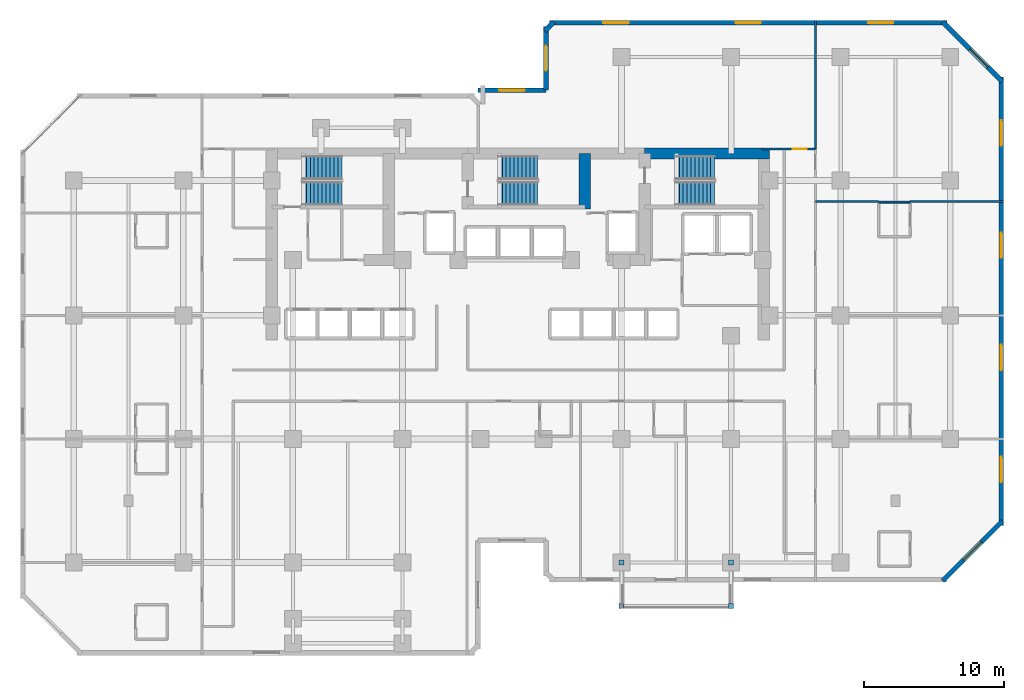
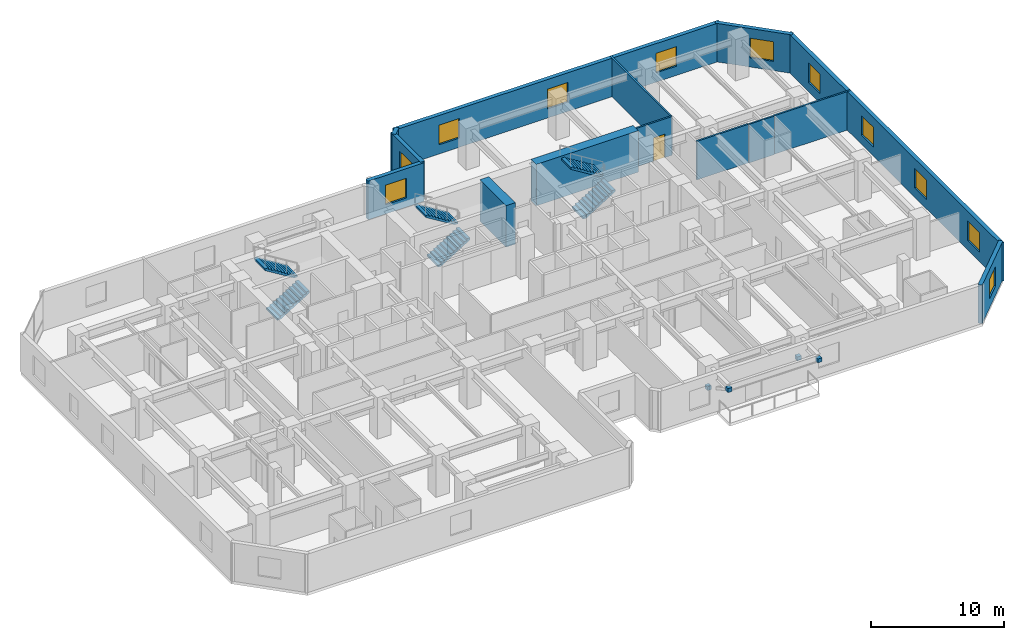
# One storey, part 9 of 11: 14 walls, 11 windows, 6 stair flights, 4 discrete accessories, 1 door, 12 openings, 3 elements without a shape of their own.
"""IFC4 building model written with IfcOpenShell, lengths in metres."""

from ifc_helpers import new_model, si_unit, direction, frame, frame_2d, origin, origin_2d, place, context, subcontext, project, spatial, polyline, rectangle, outline, extrude, material, layer, layer_set, type_object, element, fill, aggregate, save


model = new_model("IFC4")

# Units and contexts
model_context = context("Model", 3, precision=1e-05, world=origin(), true_north=direction((0.0, 1.0)))
body_context = subcontext(model_context, "Body", "Model", "MODEL_VIEW")
ifc_project = project(units=[si_unit("LENGTHUNIT", "METRE"), si_unit("AREAUNIT", "SQUARE_METRE"), si_unit("VOLUMEUNIT", "CUBIC_METRE"), si_unit("PLANEANGLEUNIT", "RADIAN"), si_unit("MASSUNIT", "GRAM", prefix="KILO")], contexts=[model_context])

# Site, building, storey
site_placement = place(None, origin())
site = spatial("IfcSite", under=ifc_project, at=site_placement, CompositionType="ELEMENT")
building_placement = place(site_placement, origin())
building = spatial("IfcBuilding", under=site, at=building_placement, Name="Kestravale Grand Hotel", CompositionType="ELEMENT")
storey_placement = place(building_placement, frame((0.0, 0.0, 84.199951171875)))
storey = spatial("IfcBuildingStorey", under=building, at=storey_placement, Name="L20", CompositionType="ELEMENT", Elevation=84.199951171875)

# Walls
ifc_material_1 = material(Name="Concrete f'c 60 MPa", Category="concrete")
ifc_layer_1 = layer(ifc_material_1, 0.800048828125)
ifc_layer_set_1 = layer_set([ifc_layer_1], Name="EW-CORE-800")
wall_type_1 = type_object("IfcWallType", Name="EW-CORE-800", PredefinedType="SHEAR", material=ifc_layer_set_1)
wall_1_placement = place(storey_placement, frame((48.449951171875, 40.320068359375, 0.0), z_axis=(0.0, 0.0, 1.0), x_axis=(1.0, 0.0, 0.0)))
element("IfcWall", 1, at=wall_1_placement, inside=storey, type_object=wall_type_1, Name="L20 core shear wall N3", PredefinedType="SHEAR", context=body_context, shape_type="SweptSolid", body=[
    extrude(rectangle(XDim=8.8701171875, YDim=0.800048828125, at=frame_2d((4.43505859375, 0.0))), origin(), (0.0, 0.0, 1.0), 3.800048828125),
])
wall_2_placement = place(storey_placement, frame((44.179931640625, 36.3701171875, 0.0), z_axis=(0.0, 0.0, 1.0), x_axis=(0.0, 1.0, 0.0)))
element("IfcWall", 2, at=wall_2_placement, inside=storey, type_object=wall_type_1, Name="L20 core shear wall X3", PredefinedType="SHEAR", context=body_context, shape_type="SweptSolid", body=[
    extrude(rectangle(XDim=3.949951171875, YDim=0.800048828125, at=frame_2d((1.97509765625, 0.0))), origin(), (0.0, 0.0, 1.0), 3.800048828125),
])

# Wall, opening, window
ifc_material_2 = material(Name="Precast concrete f'c 45 MPa", Category="concrete")
ifc_layer_2 = layer(ifc_material_2, 0.340087890625)
ifc_layer_set_2 = layer_set([ifc_layer_2], Name="EW-PREC-340")
wall_type_2 = type_object("IfcWallType", Name="EW-PREC-340", PredefinedType="SOLIDWALL", material=ifc_layer_set_2)
wall_3_placement = place(storey_placement, frame((69.651611328125, 9.891845703125, 0.0), z_axis=(0.0, 0.0, 1.0), x_axis=(0.707106781187, 0.707106781187, 0.0)))
wall_3 = element("IfcWall", 3, at=wall_3_placement, inside=storey, type_object=wall_type_2, Name="L20 fluted precast facade wall 8", PredefinedType="SOLIDWALL", context=body_context, shape_type="SweptSolid", body=[
    extrude(rectangle(XDim=6.019775390625, YDim=0.340087890625, at=frame_2d((3.009765625, 0.0))), origin(), (0.0, 0.0, 1.0), 3.5400390625),
])
opening_1_placement = place(wall_3_placement, frame((2.10986328125, 0.0, 0.85009765625)))
opening_1 = element("IfcOpeningElement", 4, at=opening_1_placement, cuts=wall_3, Name="Opening W-GUEST-1800", PredefinedType="OPENING", context=body_context, shape_type="SweptSolid", body=[
    extrude(rectangle(XDim=1.800048828125, YDim=1.800048828125, at=frame_2d((0.89990234375, 0.89990234375))), frame((0.0, 0.179931640625, 0.0), z_axis=(0.0, -1.0, 0.0), x_axis=(1.0, 0.0, 0.0)), (0.0, 0.0, 1.0), 0.360107421875),
])
ifc_material_3 = material(Name="Insulated low-E double glazing in aluminium frame", Category="aluminium")
window_type = type_object("IfcWindowType", Name="W-GUEST-1800", PartitioningType="DOUBLE_PANEL_VERTICAL", PredefinedType="WINDOW", material=ifc_material_3)
window_1_placement = place(opening_1_placement, origin())
window_1 = element("IfcWindow", 5, at=window_1_placement, inside=storey, type_object=window_type, Name="L20 exterior window 8.1", OverallHeight=1.800048828125, OverallWidth=1.800048828125, PartitioningType="SINGLE_PANEL", PredefinedType="WINDOW", context=body_context, shape_type="SweptSolid", body=[
    extrude(rectangle(XDim=1.800048828125, YDim=1.800048828125, at=frame_2d((0.89990234375, 0.89990234375))), frame((0.0, 0.030029296875, 0.0), z_axis=(0.0, -1.0, 0.0), x_axis=(1.0, 0.0, 0.0)), (0.0, 0.0, 1.0), 0.06005859375),
])
fill(opening_1, window_1)

# Wall, openings, windows
wall_4_placement = place(storey_placement, frame((73.830078125, 13.830078125, 0.0), z_axis=(0.0, 0.0, 1.0), x_axis=(0.0, 1.0, 0.0)))
wall_4 = element("IfcWall", 6, at=wall_4_placement, inside=storey, type_object=wall_type_2, Name="L20 fluted precast facade wall 9", PredefinedType="SOLIDWALL", context=body_context, shape_type="SweptSolid", body=[
    extrude(rectangle(XDim=31.93994140625, YDim=0.340087890625, at=frame_2d((15.969970703125, 0.0))), origin(), (0.0, 0.0, 1.0), 3.5400390625),
])
opening_2_placement = place(wall_4_placement, frame((3.092529296875, 0.0, 0.85009765625)))
opening_2 = element("IfcOpeningElement", 7, at=opening_2_placement, cuts=wall_4, Name="Opening W-GUEST-1800", PredefinedType="OPENING", context=body_context, shape_type="SweptSolid", body=[
    extrude(rectangle(XDim=1.800048828125, YDim=1.800048828125, at=frame_2d((0.89990234375, 0.89990234375))), frame((0.0, 0.179931640625, 0.0), z_axis=(0.0, -1.0, 0.0), x_axis=(1.0, 0.0, 0.0)), (0.0, 0.0, 1.0), 0.360107421875),
])
opening_3_placement = place(wall_4_placement, frame((11.077392578125, 0.0, 0.85009765625)))
opening_3 = element("IfcOpeningElement", 8, at=opening_3_placement, cuts=wall_4, Name="Opening W-GUEST-1800", PredefinedType="OPENING", context=body_context, shape_type="SweptSolid", body=[
    extrude(rectangle(XDim=1.800048828125, YDim=1.800048828125, at=frame_2d((0.89990234375, 0.89990234375))), frame((0.0, 0.179931640625, 0.0), z_axis=(0.0, -1.0, 0.0), x_axis=(1.0, 0.0, 0.0)), (0.0, 0.0, 1.0), 0.360107421875),
])
opening_4_placement = place(wall_4_placement, frame((19.0625, 0.0, 0.85009765625)))
opening_4 = element("IfcOpeningElement", 9, at=opening_4_placement, cuts=wall_4, Name="Opening W-GUEST-1800", PredefinedType="OPENING", context=body_context, shape_type="SweptSolid", body=[
    extrude(rectangle(XDim=1.800048828125, YDim=1.800048828125, at=frame_2d((0.89990234375, 0.89990234375))), frame((0.0, 0.179931640625, 0.0), z_axis=(0.0, -1.0, 0.0), x_axis=(1.0, 0.0, 0.0)), (0.0, 0.0, 1.0), 0.360107421875),
])
opening_5_placement = place(wall_4_placement, frame((27.047607421875, 0.0, 0.85009765625)))
opening_5 = element("IfcOpeningElement", 10, at=opening_5_placement, cuts=wall_4, Name="Opening W-GUEST-1800", PredefinedType="OPENING", context=body_context, shape_type="SweptSolid", body=[
    extrude(rectangle(XDim=1.800048828125, YDim=1.800048828125, at=frame_2d((0.89990234375, 0.89990234375))), frame((0.0, 0.179931640625, 0.0), z_axis=(0.0, -1.0, 0.0), x_axis=(1.0, 0.0, 0.0)), (0.0, 0.0, 1.0), 0.360107421875),
])
window_2_placement = place(opening_2_placement, origin())
window_2 = element("IfcWindow", 11, at=window_2_placement, inside=storey, type_object=window_type, Name="L20 exterior window 9.1", OverallHeight=1.800048828125, OverallWidth=1.800048828125, PartitioningType="SINGLE_PANEL", PredefinedType="WINDOW", context=body_context, shape_type="SweptSolid", body=[
    extrude(rectangle(XDim=1.800048828125, YDim=1.800048828125, at=frame_2d((0.89990234375, 0.89990234375))), frame((0.0, 0.030029296875, 0.0), z_axis=(0.0, -1.0, 0.0), x_axis=(1.0, 0.0, 0.0)), (0.0, 0.0, 1.0), 0.06005859375),
])
fill(opening_2, window_2)
window_3_placement = place(opening_3_placement, origin())
window_3 = element("IfcWindow", 12, at=window_3_placement, inside=storey, type_object=window_type, Name="L20 exterior window 9.2", OverallHeight=1.800048828125, OverallWidth=1.800048828125, PartitioningType="SINGLE_PANEL", PredefinedType="WINDOW", context=body_context, shape_type="SweptSolid", body=[
    extrude(rectangle(XDim=1.800048828125, YDim=1.800048828125, at=frame_2d((0.89990234375, 0.89990234375))), frame((0.0, 0.030029296875, 0.0), z_axis=(0.0, -1.0, 0.0), x_axis=(1.0, 0.0, 0.0)), (0.0, 0.0, 1.0), 0.06005859375),
])
fill(opening_3, window_3)
window_4_placement = place(opening_4_placement, origin())
window_4 = element("IfcWindow", 13, at=window_4_placement, inside=storey, type_object=window_type, Name="L20 exterior window 9.3", OverallHeight=1.800048828125, OverallWidth=1.800048828125, PartitioningType="SINGLE_PANEL", PredefinedType="WINDOW", context=body_context, shape_type="SweptSolid", body=[
    extrude(rectangle(XDim=1.800048828125, YDim=1.800048828125, at=frame_2d((0.89990234375, 0.89990234375))), frame((0.0, 0.030029296875, 0.0), z_axis=(0.0, -1.0, 0.0), x_axis=(1.0, 0.0, 0.0)), (0.0, 0.0, 1.0), 0.06005859375),
])
fill(opening_4, window_4)
window_5_placement = place(opening_5_placement, origin())
window_5 = element("IfcWindow", 14, at=window_5_placement, inside=storey, type_object=window_type, Name="L20 exterior window 9.4", OverallHeight=1.800048828125, OverallWidth=1.800048828125, PartitioningType="SINGLE_PANEL", PredefinedType="WINDOW", context=body_context, shape_type="SweptSolid", body=[
    extrude(rectangle(XDim=1.800048828125, YDim=1.800048828125, at=frame_2d((0.89990234375, 0.89990234375))), frame((0.0, 0.030029296875, 0.0), z_axis=(0.0, -1.0, 0.0), x_axis=(1.0, 0.0, 0.0)), (0.0, 0.0, 1.0), 0.06005859375),
])
fill(opening_5, window_5)

# Wall, opening, window
wall_5_placement = place(storey_placement, frame((73.908203125, 45.451416015625, 0.0), z_axis=(0.0, 0.0, 1.0), x_axis=(-0.707106781187, 0.707106781187, 0.0)))
wall_5 = element("IfcWall", 15, at=wall_5_placement, inside=storey, type_object=wall_type_2, Name="L20 fluted precast facade wall 10", PredefinedType="SOLIDWALL", context=body_context, shape_type="SweptSolid", body=[
    extrude(rectangle(XDim=6.019775390625, YDim=0.340087890625, at=frame_2d((3.009765625, 0.0))), origin(), (0.0, 0.0, 1.0), 3.5400390625),
])
opening_6_placement = place(wall_5_placement, frame((1.4599609375, 0.0, 0.85009765625)))
opening_6 = element("IfcOpeningElement", 16, at=opening_6_placement, cuts=wall_5, Name="Opening W-GUEST-1800", PredefinedType="OPENING", context=body_context, shape_type="SweptSolid", body=[
    extrude(rectangle(XDim=1.800048828125, YDim=1.800048828125, at=frame_2d((0.89990234375, 0.89990234375))), frame((0.0, 0.179931640625, 0.0), z_axis=(0.0, -1.0, 0.0), x_axis=(1.0, 0.0, 0.0)), (0.0, 0.0, 1.0), 0.360107421875),
])
window_6_placement = place(opening_6_placement, origin())
window_6 = element("IfcWindow", 17, at=window_6_placement, inside=storey, type_object=window_type, Name="L20 exterior window 10.1", OverallHeight=1.800048828125, OverallWidth=1.800048828125, PartitioningType="SINGLE_PANEL", PredefinedType="WINDOW", context=body_context, shape_type="SweptSolid", body=[
    extrude(rectangle(XDim=1.800048828125, YDim=1.800048828125, at=frame_2d((0.89990234375, 0.89990234375))), frame((0.0, 0.030029296875, 0.0), z_axis=(0.0, -1.0, 0.0), x_axis=(1.0, 0.0, 0.0)), (0.0, 0.0, 1.0), 0.06005859375),
])
fill(opening_6, window_6)

# Wall, openings, windows
wall_6_placement = place(storey_placement, frame((69.969970703125, 49.6298828125, 0.0), z_axis=(0.0, 0.0, 1.0), x_axis=(-1.0, 0.0, 0.0)))
wall_6 = element("IfcWall", 18, at=wall_6_placement, inside=storey, type_object=wall_type_2, Name="L20 fluted precast facade wall 11", PredefinedType="SOLIDWALL", context=body_context, shape_type="SweptSolid", body=[
    extrude(rectangle(XDim=28.2900390625, YDim=0.340087890625, at=frame_2d((14.14501953125, 0.0))), origin(), (0.0, 0.0, 1.0), 3.5400390625),
])
opening_7_placement = place(wall_6_placement, frame((3.81494140625, 0.0, 0.85009765625)))
opening_7 = element("IfcOpeningElement", 19, at=opening_7_placement, cuts=wall_6, Name="Opening W-GUEST-1800", PredefinedType="OPENING", context=body_context, shape_type="SweptSolid", body=[
    extrude(rectangle(XDim=1.800048828125, YDim=1.800048828125, at=frame_2d((0.89990234375, 0.89990234375))), frame((0.0, 0.179931640625, 0.0), z_axis=(0.0, -1.0, 0.0), x_axis=(1.0, 0.0, 0.0)), (0.0, 0.0, 1.0), 0.360107421875),
])
opening_8_placement = place(wall_6_placement, frame((13.2451171875, 0.0, 0.85009765625)))
opening_8 = element("IfcOpeningElement", 20, at=opening_8_placement, cuts=wall_6, Name="Opening W-GUEST-1800", PredefinedType="OPENING", context=body_context, shape_type="SweptSolid", body=[
    extrude(rectangle(XDim=1.800048828125, YDim=1.800048828125, at=frame_2d((0.89990234375, 0.89990234375))), frame((0.0, 0.179931640625, 0.0), z_axis=(0.0, -1.0, 0.0), x_axis=(1.0, 0.0, 0.0)), (0.0, 0.0, 1.0), 0.360107421875),
])
opening_9_placement = place(wall_6_placement, frame((22.675048828125, 0.0, 0.85009765625)))
opening_9 = element("IfcOpeningElement", 21, at=opening_9_placement, cuts=wall_6, Name="Opening W-GUEST-1800", PredefinedType="OPENING", context=body_context, shape_type="SweptSolid", body=[
    extrude(rectangle(XDim=1.800048828125, YDim=1.800048828125, at=frame_2d((0.89990234375, 0.89990234375))), frame((0.0, 0.179931640625, 0.0), z_axis=(0.0, -1.0, 0.0), x_axis=(1.0, 0.0, 0.0)), (0.0, 0.0, 1.0), 0.360107421875),
])
window_7_placement = place(opening_7_placement, origin())
window_7 = element("IfcWindow", 22, at=window_7_placement, inside=storey, type_object=window_type, Name="L20 exterior window 11.1", OverallHeight=1.800048828125, OverallWidth=1.800048828125, PartitioningType="SINGLE_PANEL", PredefinedType="WINDOW", context=body_context, shape_type="SweptSolid", body=[
    extrude(rectangle(XDim=1.800048828125, YDim=1.800048828125, at=frame_2d((0.89990234375, 0.89990234375))), frame((0.0, 0.030029296875, 0.0), z_axis=(0.0, -1.0, 0.0), x_axis=(1.0, 0.0, 0.0)), (0.0, 0.0, 1.0), 0.06005859375),
])
fill(opening_7, window_7)
window_8_placement = place(opening_8_placement, origin())
window_8 = element("IfcWindow", 23, at=window_8_placement, inside=storey, type_object=window_type, Name="L20 exterior window 11.2", OverallHeight=1.800048828125, OverallWidth=1.800048828125, PartitioningType="SINGLE_PANEL", PredefinedType="WINDOW", context=body_context, shape_type="SweptSolid", body=[
    extrude(rectangle(XDim=1.800048828125, YDim=1.800048828125, at=frame_2d((0.89990234375, 0.89990234375))), frame((0.0, 0.030029296875, 0.0), z_axis=(0.0, -1.0, 0.0), x_axis=(1.0, 0.0, 0.0)), (0.0, 0.0, 1.0), 0.06005859375),
])
fill(opening_8, window_8)
window_9_placement = place(opening_9_placement, origin())
window_9 = element("IfcWindow", 24, at=window_9_placement, inside=storey, type_object=window_type, Name="L20 exterior window 11.3", OverallHeight=1.800048828125, OverallWidth=1.800048828125, PartitioningType="SINGLE_PANEL", PredefinedType="WINDOW", context=body_context, shape_type="SweptSolid", body=[
    extrude(rectangle(XDim=1.800048828125, YDim=1.800048828125, at=frame_2d((0.89990234375, 0.89990234375))), frame((0.0, 0.030029296875, 0.0), z_axis=(0.0, -1.0, 0.0), x_axis=(1.0, 0.0, 0.0)), (0.0, 0.0, 1.0), 0.06005859375),
])
fill(opening_9, window_9)

# Wall
wall_7_placement = place(storey_placement, frame((41.99853515625, 49.7080078125, 0.0), z_axis=(0.0, 0.0, 1.0), x_axis=(-0.707238225886, -0.706975312048, 0.0)))
element("IfcWall", 25, at=wall_7_placement, inside=storey, type_object=wall_type_2, Name="L20 fluted precast facade wall 12", PredefinedType="SOLIDWALL", context=body_context, shape_type="SweptSolid", body=[
    extrude(rectangle(XDim=0.9287109375, YDim=0.340087890625, at=frame_2d((0.46435546875, 0.0))), origin(), (0.0, 0.0, 1.0), 3.5400390625),
])

# Wall, opening, window
wall_8_placement = place(storey_placement, frame((41.419921875, 49.3701171875, 0.0), z_axis=(0.0, 0.0, 1.0), x_axis=(0.0, -1.0, 0.0)))
wall_8 = element("IfcWall", 26, at=wall_8_placement, inside=storey, type_object=wall_type_2, Name="L20 fluted precast facade wall 13", PredefinedType="SOLIDWALL", context=body_context, shape_type="SweptSolid", body=[
    extrude(rectangle(XDim=4.5400390625, YDim=0.340087890625, at=frame_2d((2.27001953125, 0.0))), origin(), (0.0, 0.0, 1.0), 3.5400390625),
])
opening_10_placement = place(wall_8_placement, frame((1.3701171875, 0.0, 0.85009765625)))
opening_10 = element("IfcOpeningElement", 27, at=opening_10_placement, cuts=wall_8, Name="Opening W-GUEST-1800", PredefinedType="OPENING", context=body_context, shape_type="SweptSolid", body=[
    extrude(rectangle(XDim=1.800048828125, YDim=1.800048828125, at=frame_2d((0.89990234375, 0.89990234375))), frame((0.0, 0.179931640625, 0.0), z_axis=(0.0, -1.0, 0.0), x_axis=(1.0, 0.0, 0.0)), (0.0, 0.0, 1.0), 0.360107421875),
])
window_10_placement = place(opening_10_placement, origin())
window_10 = element("IfcWindow", 28, at=window_10_placement, inside=storey, type_object=window_type, Name="L20 exterior window 13.1", OverallHeight=1.800048828125, OverallWidth=1.800048828125, PartitioningType="SINGLE_PANEL", PredefinedType="WINDOW", context=body_context, shape_type="SweptSolid", body=[
    extrude(rectangle(XDim=1.800048828125, YDim=1.800048828125, at=frame_2d((0.89990234375, 0.89990234375))), frame((0.0, 0.030029296875, 0.0), z_axis=(0.0, -1.0, 0.0), x_axis=(1.0, 0.0, 0.0)), (0.0, 0.0, 1.0), 0.06005859375),
])
fill(opening_10, window_10)

wall_9_placement = place(storey_placement, frame((41.419921875, 44.830078125, 0.0), z_axis=(0.0, 0.0, 1.0), x_axis=(-1.0, 0.0, 0.0)))
wall_9 = element("IfcWall", 29, at=wall_9_placement, inside=storey, type_object=wall_type_2, Name="L20 fluted precast facade wall 14", PredefinedType="SOLIDWALL", context=body_context, shape_type="SweptSolid", body=[
    extrude(rectangle(XDim=4.83984375, YDim=0.340087890625, at=frame_2d((2.419921875, 0.0))), origin(), (0.0, 0.0, 1.0), 3.5400390625),
])
opening_11_placement = place(wall_9_placement, frame((1.52001953125, 0.0, 0.85009765625)))
opening_11 = element("IfcOpeningElement", 30, at=opening_11_placement, cuts=wall_9, Name="Opening W-GUEST-1800", PredefinedType="OPENING", context=body_context, shape_type="SweptSolid", body=[
    extrude(rectangle(XDim=1.800048828125, YDim=1.800048828125, at=frame_2d((0.89990234375, 0.89990234375))), frame((0.0, 0.179931640625, 0.0), z_axis=(0.0, -1.0, 0.0), x_axis=(1.0, 0.0, 0.0)), (0.0, 0.0, 1.0), 0.360107421875),
])
window_11_placement = place(opening_11_placement, origin())
window_11 = element("IfcWindow", 31, at=window_11_placement, inside=storey, type_object=window_type, Name="L20 exterior window 14.1", OverallHeight=1.800048828125, OverallWidth=1.800048828125, PartitioningType="SINGLE_PANEL", PredefinedType="WINDOW", context=body_context, shape_type="SweptSolid", body=[
    extrude(rectangle(XDim=1.800048828125, YDim=1.800048828125, at=frame_2d((0.89990234375, 0.89990234375))), frame((0.0, 0.030029296875, 0.0), z_axis=(0.0, -1.0, 0.0), x_axis=(1.0, 0.0, 0.0)), (0.0, 0.0, 1.0), 0.06005859375),
])
fill(opening_11, window_11)

# Wall
ifc_material_4 = material(Name="Moisture-resistant tile-backer plumbing chase wall", Category="other")
ifc_layer_3 = layer(ifc_material_4, 0.139892578125)
ifc_layer_set_3 = layer_set([ifc_layer_3], Name="IW-PLB-140")
wall_type_3 = type_object("IfcWallType", Name="IW-PLB-140", PredefinedType="PLUMBINGWALL", material=ifc_layer_set_3)
wall_10_placement = place(storey_placement, frame((65.10009765625, 36.860107421875, 0.0), z_axis=(0.0, 0.0, 1.0), x_axis=(1.0, 0.0, 0.0)))
element("IfcWall", 32, at=wall_10_placement, inside=storey, type_object=wall_type_3, Name="W-L20-U09-BN", PredefinedType="PLUMBINGWALL", context=body_context, shape_type="SweptSolid", body=[
    extrude(rectangle(XDim=2.25, YDim=0.139892578125, at=frame_2d((1.125, 0.0))), origin(), (0.0, 0.0, 1.0), 3.5400390625),
])

# Wall, opening, door
ifc_material_5 = material(Name="Double-stud STC 52 acoustic demising partition", Category="other")
ifc_layer_4 = layer(ifc_material_5, 0.14990234375)
ifc_layer_set_4 = layer_set([ifc_layer_4], Name="IW-UNIT-150")
wall_type_4 = type_object("IfcWallType", Name="IW-UNIT-150", PredefinedType="PARTITIONING", material=ifc_layer_set_4)
wall_11_placement = place(storey_placement, frame((56.800048828125, 40.64990234375, 0.0), z_axis=(0.0, 0.0, 1.0), x_axis=(1.0, 0.0, 0.0)))
wall_11 = element("IfcWall", 33, at=wall_11_placement, inside=storey, type_object=wall_type_4, Name="W-L20-SE-N", PredefinedType="PARTITIONING", context=body_context, shape_type="SweptSolid", body=[
    extrude(rectangle(XDim=3.81005859375, YDim=0.14990234375, at=frame_2d((1.905029296875, 0.0))), origin(), (0.0, 0.0, 1.0), 3.5400390625),
])
opening_12_placement = place(wall_11_placement, frame((2.199951171875, 0.0, 0.0)))
opening_12 = element("IfcOpeningElement", 34, at=opening_12_placement, cuts=wall_11, Name="Opening D-GUEST-1000", PredefinedType="OPENING", context=body_context, shape_type="SweptSolid", body=[
    extrude(rectangle(XDim=1.0, YDim=2.14990234375, at=frame_2d((0.5, 1.074951171875))), frame((0.0, 0.0849609375, 0.0), z_axis=(0.0, -1.0, 0.0), x_axis=(1.0, 0.0, 0.0)), (0.0, 0.0, 1.0), 0.169921875),
])
ifc_material_6 = material(Name="Accessible walnut veneer hotel entrance fire door", Category="wood")
door_type = type_object("IfcDoorType", Name="D-GUEST-1000", OperationType="NOTDEFINED", PredefinedType="DOOR", material=ifc_material_6)
door_placement = place(opening_12_placement, origin())
door = element("IfcDoor", 35, at=door_placement, inside=storey, type_object=door_type, Name="L20 NE Gallery Door", OperationType="SINGLE_SWING_LEFT", OverallHeight=2.14990234375, OverallWidth=1.0, PredefinedType="DOOR", context=body_context, shape_type="SweptSolid", body=[
    extrude(rectangle(XDim=1.0, YDim=2.14990234375, at=frame_2d((0.5, 1.074951171875))), frame((0.0, 0.02490234375, 0.0), z_axis=(0.0, -1.0, 0.0), x_axis=(1.0, 0.0, 0.0)), (0.0, 0.0, 1.0), 0.050048828125),
])
fill(opening_12, door)

# Walls
wall_12_placement = place(storey_placement, frame((60.610107421875, 40.64990234375, 0.0), z_axis=(0.0, 0.0, 1.0), x_axis=(0.0, 1.0, 0.0)))
element("IfcWall", 36, at=wall_12_placement, inside=storey, type_object=wall_type_4, Name="W-L20-NGE-E", PredefinedType="PARTITIONING", context=body_context, shape_type="SweptSolid", body=[
    extrude(rectangle(XDim=9.130126953125, YDim=0.14990234375, at=frame_2d((4.56494140625, 0.0))), origin(), (0.0, 0.0, 1.0), 3.5400390625),
])
wall_13_placement = place(storey_placement, frame((60.610107421875, 36.89990234375, 0.0), z_axis=(0.0, 0.0, 1.0), x_axis=(1.0, 0.0, 0.0)))
element("IfcWall", 37, at=wall_13_placement, inside=storey, type_object=wall_type_4, Name="W-L20-EW-3", PredefinedType="PARTITIONING", context=body_context, shape_type="SweptSolid", body=[
    extrude(rectangle(XDim=4.489990234375, YDim=0.14990234375, at=frame_2d((2.2451171875, 0.0))), origin(), (0.0, 0.0, 1.0), 3.5400390625),
])
wall_14_placement = place(storey_placement, frame((67.35009765625, 36.89990234375, 0.0), z_axis=(0.0, 0.0, 1.0), x_axis=(1.0, 0.0, 0.0)))
element("IfcWall", 38, at=wall_14_placement, inside=storey, type_object=wall_type_4, Name="W-L20-EW-3", PredefinedType="PARTITIONING", context=body_context, shape_type="SweptSolid", body=[
    extrude(rectangle(XDim=6.6298828125, YDim=0.14990234375, at=frame_2d((3.31494140625, 0.0))), origin(), (0.0, 0.0, 1.0), 3.5400390625),
])

# Stair, stair flights
ifc_material_7 = material(Name="Concrete f'c 45 MPa", Category="concrete")
stair_type = type_object("IfcStairType", Name="ST-CORE-380", PredefinedType="HALF_TURN_STAIR", material=ifc_material_7)
stair_1_placement = place(storey_placement, origin())
stair_1 = element("IfcStair", 39, at=stair_1_placement, inside=storey, type_object=stair_type, Name="L20 ST-1", PredefinedType="HALF_TURN_STAIR")
ifc_material_8 = material(Name="Concrete f'c 45 MPa", Category="concrete")
stair_flight_type = type_object("IfcStairFlightType", Name="STF-CORE-380", PredefinedType="STRAIGHT", material=ifc_material_8)
stair_flight_1_placement = place(storey_placement, frame((24.080078125, 37.489990234375, 0.0), z_axis=(0.0, 0.0, 1.0), x_axis=(1.0, 0.0, 0.0)))
stair_flight_1 = element("IfcStairFlight", 40, at=stair_flight_1_placement, type_object=stair_flight_type, Name="ST-1 flight 1", NumberOfRisers=11, NumberOfTreads=10, PredefinedType="STRAIGHT", RiserHeight=0.172727273, TreadLength=0.28, context=body_context, shape_type="SweptSolid", body=[
    extrude(outline(polyline([(0.0, 0.0), (0.0, 0.172607421875), (0.280029296875, 0.172607421875), (0.280029296875, 0.345458984375), (0.56005859375, 0.345458984375), (0.56005859375, 0.51806640625), (0.840087890625, 0.51806640625), (0.840087890625, 0.69091796875), (1.1201171875, 0.69091796875), (1.1201171875, 0.863525390625), (1.39990234375, 0.863525390625), (1.39990234375, 1.036376953125), (1.679931640625, 1.036376953125), (1.679931640625, 1.208984375), (1.9599609375, 1.208984375), (1.9599609375, 1.3818359375), (2.239990234375, 1.3818359375), (2.239990234375, 1.554443359375), (2.52001953125, 1.554443359375), (2.52001953125, 1.727294921875), (2.800048828125, 1.727294921875), (2.800048828125, 1.89990234375), (2.800048828125, 1.551025390625), (0.285400390625, 0.0), (0.0, 0.0)])), frame((0.0, 0.83984375, 0.0), z_axis=(0.0, -1.0, 0.0), x_axis=(1.0, 0.0, 0.0)), (0.0, 0.0, 1.0), 1.679931640625),
])
stair_flight_2_placement = place(storey_placement, frame((26.8798828125, 39.320068359375, 1.900146484375), z_axis=(0.0, 0.0, 1.0), x_axis=(-1.0, 0.0, 0.0)))
stair_flight_2 = element("IfcStairFlight", 41, at=stair_flight_2_placement, type_object=stair_flight_type, Name="ST-1 flight 2", NumberOfRisers=11, NumberOfTreads=10, PredefinedType="STRAIGHT", RiserHeight=0.172727273, TreadLength=0.28, context=body_context, shape_type="SweptSolid", body=[
    extrude(outline(polyline([(0.0, 0.0), (0.0, 0.172607421875), (0.280029296875, 0.172607421875), (0.280029296875, 0.345458984375), (0.56005859375, 0.345458984375), (0.56005859375, 0.51806640625), (0.840087890625, 0.51806640625), (0.840087890625, 0.69091796875), (1.1201171875, 0.69091796875), (1.1201171875, 0.863525390625), (1.39990234375, 0.863525390625), (1.39990234375, 1.036376953125), (1.679931640625, 1.036376953125), (1.679931640625, 1.208984375), (1.9599609375, 1.208984375), (1.9599609375, 1.3818359375), (2.239990234375, 1.3818359375), (2.239990234375, 1.554443359375), (2.52001953125, 1.554443359375), (2.52001953125, 1.727294921875), (2.800048828125, 1.727294921875), (2.800048828125, 1.89990234375), (2.800048828125, 1.551025390625), (0.285400390625, 0.0), (0.0, 0.0)])), frame((0.0, 0.83984375, 0.0), z_axis=(0.0, -1.0, 0.0), x_axis=(1.0, 0.0, 0.0)), (0.0, 0.0, 1.0), 1.679931640625),
])
aggregate(stair_1, [stair_flight_1, stair_flight_2])

stair_2_placement = place(storey_placement, origin())
stair_2 = element("IfcStair", 42, at=stair_2_placement, inside=storey, type_object=stair_type, Name="L20 ST-2", PredefinedType="HALF_TURN_STAIR")
stair_flight_3_placement = place(storey_placement, frame((38.030029296875, 37.489990234375, 0.0), z_axis=(0.0, 0.0, 1.0), x_axis=(1.0, 0.0, 0.0)))
stair_flight_3 = element("IfcStairFlight", 43, at=stair_flight_3_placement, type_object=stair_flight_type, Name="ST-2 flight 1", NumberOfRisers=11, NumberOfTreads=10, PredefinedType="STRAIGHT", RiserHeight=0.172727273, TreadLength=0.28, context=body_context, shape_type="SweptSolid", body=[
    extrude(outline(polyline([(0.0, 0.0), (0.0, 0.172607421875), (0.280029296875, 0.172607421875), (0.280029296875, 0.345458984375), (0.56005859375, 0.345458984375), (0.56005859375, 0.51806640625), (0.840087890625, 0.51806640625), (0.840087890625, 0.69091796875), (1.1201171875, 0.69091796875), (1.1201171875, 0.863525390625), (1.39990234375, 0.863525390625), (1.39990234375, 1.036376953125), (1.679931640625, 1.036376953125), (1.679931640625, 1.208984375), (1.9599609375, 1.208984375), (1.9599609375, 1.3818359375), (2.239990234375, 1.3818359375), (2.239990234375, 1.554443359375), (2.52001953125, 1.554443359375), (2.52001953125, 1.727294921875), (2.800048828125, 1.727294921875), (2.800048828125, 1.89990234375), (2.800048828125, 1.551025390625), (0.285400390625, 0.0), (0.0, 0.0)])), frame((0.0, 0.83984375, 0.0), z_axis=(0.0, -1.0, 0.0), x_axis=(1.0, 0.0, 0.0)), (0.0, 0.0, 1.0), 1.679931640625),
])
stair_flight_4_placement = place(storey_placement, frame((40.830078125, 39.320068359375, 1.900146484375), z_axis=(0.0, 0.0, 1.0), x_axis=(-1.0, 0.0, 0.0)))
stair_flight_4 = element("IfcStairFlight", 44, at=stair_flight_4_placement, type_object=stair_flight_type, Name="ST-2 flight 2", NumberOfRisers=11, NumberOfTreads=10, PredefinedType="STRAIGHT", RiserHeight=0.172727273, TreadLength=0.28, context=body_context, shape_type="SweptSolid", body=[
    extrude(outline(polyline([(0.0, 0.0), (0.0, 0.172607421875), (0.280029296875, 0.172607421875), (0.280029296875, 0.345458984375), (0.56005859375, 0.345458984375), (0.56005859375, 0.51806640625), (0.840087890625, 0.51806640625), (0.840087890625, 0.69091796875), (1.1201171875, 0.69091796875), (1.1201171875, 0.863525390625), (1.39990234375, 0.863525390625), (1.39990234375, 1.036376953125), (1.679931640625, 1.036376953125), (1.679931640625, 1.208984375), (1.9599609375, 1.208984375), (1.9599609375, 1.3818359375), (2.239990234375, 1.3818359375), (2.239990234375, 1.554443359375), (2.52001953125, 1.554443359375), (2.52001953125, 1.727294921875), (2.800048828125, 1.727294921875), (2.800048828125, 1.89990234375), (2.800048828125, 1.551025390625), (0.285400390625, 0.0), (0.0, 0.0)])), frame((0.0, 0.83984375, 0.0), z_axis=(0.0, -1.0, 0.0), x_axis=(1.0, 0.0, 0.0)), (0.0, 0.0, 1.0), 1.679931640625),
])
aggregate(stair_2, [stair_flight_3, stair_flight_4])

stair_3_placement = place(storey_placement, origin())
stair_3 = element("IfcStair", 45, at=stair_3_placement, inside=storey, type_object=stair_type, Name="L20 ST-3", PredefinedType="HALF_TURN_STAIR")
stair_flight_5_placement = place(storey_placement, frame((50.6298828125, 37.489990234375, 0.0), z_axis=(0.0, 0.0, 1.0), x_axis=(1.0, 0.0, 0.0)))
stair_flight_5 = element("IfcStairFlight", 46, at=stair_flight_5_placement, type_object=stair_flight_type, Name="ST-3 flight 1", NumberOfRisers=11, NumberOfTreads=10, PredefinedType="STRAIGHT", RiserHeight=0.172727273, TreadLength=0.28, context=body_context, shape_type="SweptSolid", body=[
    extrude(outline(polyline([(0.0, 0.0), (0.0, 0.172607421875), (0.280029296875, 0.172607421875), (0.280029296875, 0.345458984375), (0.56005859375, 0.345458984375), (0.56005859375, 0.51806640625), (0.840087890625, 0.51806640625), (0.840087890625, 0.69091796875), (1.1201171875, 0.69091796875), (1.1201171875, 0.863525390625), (1.39990234375, 0.863525390625), (1.39990234375, 1.036376953125), (1.679931640625, 1.036376953125), (1.679931640625, 1.208984375), (1.9599609375, 1.208984375), (1.9599609375, 1.3818359375), (2.239990234375, 1.3818359375), (2.239990234375, 1.554443359375), (2.52001953125, 1.554443359375), (2.52001953125, 1.727294921875), (2.800048828125, 1.727294921875), (2.800048828125, 1.89990234375), (2.800048828125, 1.551025390625), (0.285400390625, 0.0), (0.0, 0.0)])), frame((0.0, 0.83984375, 0.0), z_axis=(0.0, -1.0, 0.0), x_axis=(1.0, 0.0, 0.0)), (0.0, 0.0, 1.0), 1.679931640625),
])
stair_flight_6_placement = place(storey_placement, frame((53.429931640625, 39.320068359375, 1.900146484375), z_axis=(0.0, 0.0, 1.0), x_axis=(-1.0, 0.0, 0.0)))
stair_flight_6 = element("IfcStairFlight", 47, at=stair_flight_6_placement, type_object=stair_flight_type, Name="ST-3 flight 2", NumberOfRisers=11, NumberOfTreads=10, PredefinedType="STRAIGHT", RiserHeight=0.172727273, TreadLength=0.28, context=body_context, shape_type="SweptSolid", body=[
    extrude(outline(polyline([(0.0, 0.0), (0.0, 0.172607421875), (0.280029296875, 0.172607421875), (0.280029296875, 0.345458984375), (0.56005859375, 0.345458984375), (0.56005859375, 0.51806640625), (0.840087890625, 0.51806640625), (0.840087890625, 0.69091796875), (1.1201171875, 0.69091796875), (1.1201171875, 0.863525390625), (1.39990234375, 0.863525390625), (1.39990234375, 1.036376953125), (1.679931640625, 1.036376953125), (1.679931640625, 1.208984375), (1.9599609375, 1.208984375), (1.9599609375, 1.3818359375), (2.239990234375, 1.3818359375), (2.239990234375, 1.554443359375), (2.52001953125, 1.554443359375), (2.52001953125, 1.727294921875), (2.800048828125, 1.727294921875), (2.800048828125, 1.89990234375), (2.800048828125, 1.551025390625), (0.285400390625, 0.0), (0.0, 0.0)])), frame((0.0, 0.83984375, 0.0), z_axis=(0.0, -1.0, 0.0), x_axis=(1.0, 0.0, 0.0)), (0.0, 0.0, 1.0), 1.679931640625),
])
aggregate(stair_3, [stair_flight_5, stair_flight_6])

# Discrete accessories
ifc_material_9 = material(Name="Steel ASTM A572 Grade 50 hot-dip galvanised bracket", Category="steel")
discrete_accessory_type = type_object("IfcDiscreteAccessoryType", Name="ACC-BRK-STL", PredefinedType="BRACKET", material=ifc_material_9)
for number, where, z_axis, x_axis, name in (
    (48, (46.800048828125, 11.199951171875, 1.19384765625), (0.0, 0.0, 1.0), (1.0, 0.0, 0.0), "L21 terrace strut column bracket 1"),
    (49, (46.800048828125, 8.10009765625, 2.89404296875), (0.0, 0.0, 1.0), (1.0, 0.0, 0.0), "L21 terrace strut beam bracket 1"),
    (50, (54.60009765625, 11.199951171875, 1.19384765625), (0.0, 0.0, 1.0), (1.0, 0.0, 0.0), "L21 terrace strut column bracket 2"),
    (51, (54.60009765625, 8.10009765625, 2.89404296875), (0.0, 0.0, 1.0), (1.0, 0.0, 0.0), "L21 terrace strut beam bracket 2"),
):
    element("IfcDiscreteAccessory", number, at=place(storey_placement, frame(where, z_axis=z_axis, x_axis=x_axis)), inside=storey, type_object=discrete_accessory_type, Name=name, PredefinedType="BRACKET", context=body_context, shape_type="SweptSolid", body=[
        extrude(rectangle(XDim=0.360107421875, YDim=0.360107421875, at=origin_2d()), origin(), (0.0, 0.0, 1.0), 0.360107421875),
    ])

save(model, "model.ifc")
